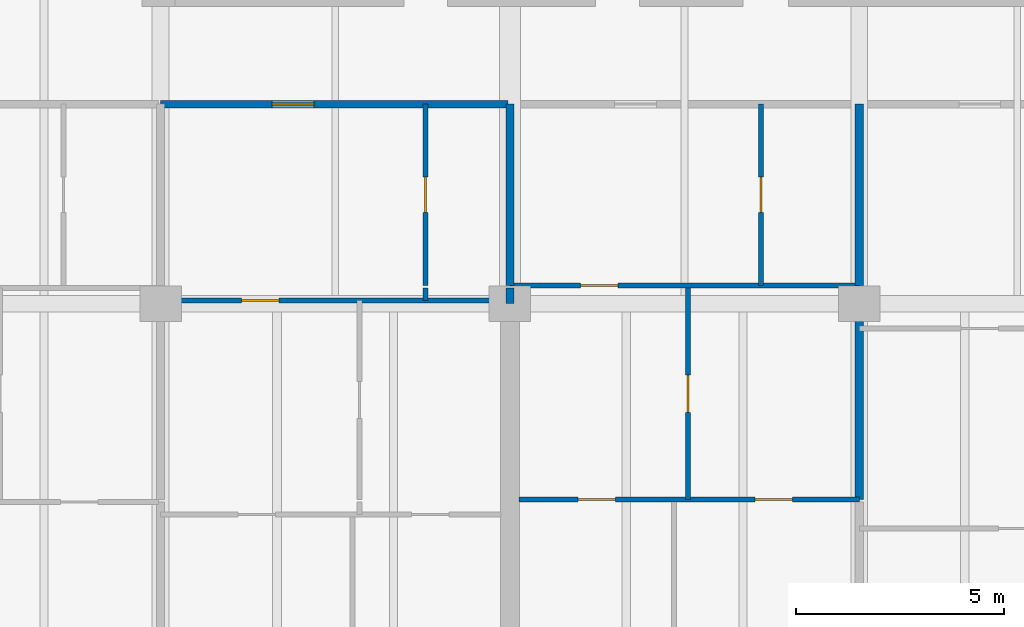
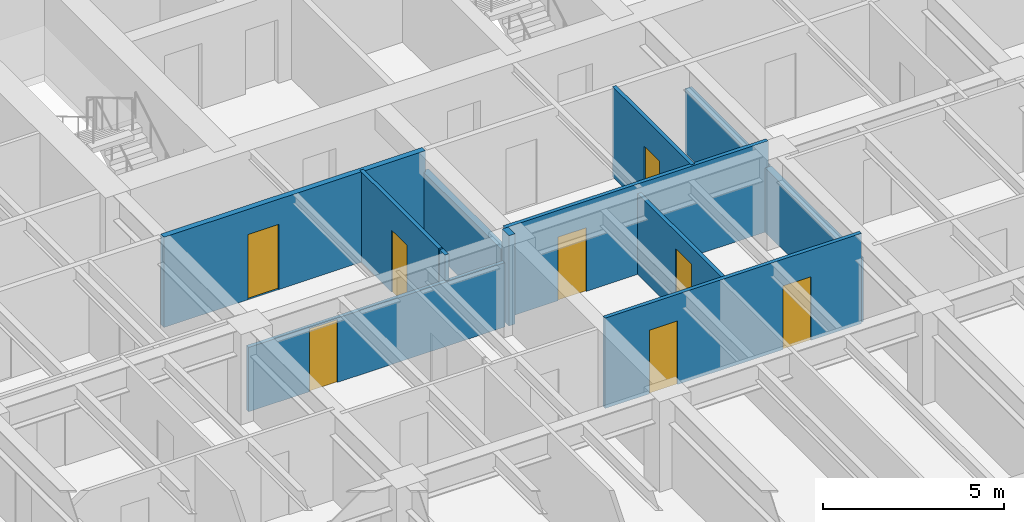
# One storey, part 7 of 16: 12 walls, 8 doors, 8 openings.
"""IFC4 building model written with IfcOpenShell, lengths in metres."""

from ifc_helpers import new_model, si_unit, direction, frame, frame_2d, origin, place, context, subcontext, project, spatial, rectangle, extrude, material, layer, layer_set, type_object, element, fill, save


model = new_model("IFC4")

# Units and contexts
model_context = context("Model", 3, precision=1e-05, world=origin(), true_north=direction((0.0, 1.0)))
body_context = subcontext(model_context, "Body", "Model", "MODEL_VIEW")
ifc_project = project(units=[si_unit("LENGTHUNIT", "METRE"), si_unit("AREAUNIT", "SQUARE_METRE"), si_unit("VOLUMEUNIT", "CUBIC_METRE"), si_unit("PLANEANGLEUNIT", "RADIAN"), si_unit("MASSUNIT", "GRAM", prefix="KILO")], contexts=[model_context])

# Site, building, storey
site_placement = place(None, origin())
site = spatial("IfcSite", under=ifc_project, at=site_placement, CompositionType="ELEMENT")
building_placement = place(site_placement, origin())
building = spatial("IfcBuilding", under=site, at=building_placement, Name="Caelmar Bay Residences", CompositionType="ELEMENT")
storey_placement = place(building_placement, frame((0.0, 0.0, 145.5)))
storey = spatial("IfcBuildingStorey", under=building, at=storey_placement, Name="L40", CompositionType="ELEMENT", Elevation=145.5)

# Wall, opening, door
ifc_material_1 = material(Name="Double-stud acoustic fire-rated gypsum partition 180 mm")
ifc_layer_1 = layer(ifc_material_1, 0.179931640625)
ifc_layer_set_1 = layer_set([ifc_layer_1], Name="Double-stud acoustic fire-rated gypsum partition 180 mm")
wall_type_1 = type_object("IfcWallType", Name="W-COR-200", PredefinedType="PARTITIONING", material=ifc_layer_set_1)
wall_1_placement = place(storey_placement, frame((18.300048828125, 34.199951171875, 0.0), z_axis=(0.0, 0.0, 1.0), x_axis=(1.0, 0.0, 0.0)))
wall_1 = element("IfcWall", 1, at=wall_1_placement, inside=storey, type_object=wall_type_1, Name="L40 Partition Wall H111", PredefinedType="PARTITIONING", context=body_context, shape_type="SweptSolid", body=[
    extrude(rectangle(XDim=8.349853515625, YDim=0.179931640625, at=frame_2d((4.1748046875, 0.0))), origin(), (0.0, 0.0, 1.0), 3.050048828125),
])
opening_1_placement = place(wall_1_placement, frame((2.68310546875, 0.0, 0.0)))
opening_1 = element("IfcOpeningElement", 2, at=opening_1_placement, cuts=wall_1, Name="Opening D-L40-132", PredefinedType="OPENING", context=body_context, shape_type="SweptSolid", body=[
    extrude(rectangle(XDim=1.0, YDim=2.199951171875, at=frame_2d((0.5, 1.10009765625))), frame((0.0, 0.099853515625, 0.0), z_axis=(0.0, -1.0, 0.0), x_axis=(1.0, 0.0, 0.0)), (0.0, 0.0, 1.0), 0.199951171875),
])
ifc_material_2 = material(Name="Fire-rated steel and walnut architectural door assembly", Category="steel")
ifc_layer_2 = layer(ifc_material_2, 0.050048828125)
ifc_layer_set_2 = layer_set([ifc_layer_2], Name="Fire-rated steel and walnut architectural door assembly")
door_type_1 = type_object("IfcDoorType", Name="D-UNIT-1000", OperationType="NOTDEFINED", PredefinedType="DOOR", material=ifc_layer_set_2)
door_1_placement = place(opening_1_placement, origin())
door_1 = element("IfcDoor", 3, at=door_1_placement, inside=storey, type_object=door_type_1, Name="L40 Residence 02 Apartment Hall Door", OperationType="SINGLE_SWING_RIGHT", OverallHeight=2.199951171875, OverallWidth=1.0, PredefinedType="DOOR", context=body_context, shape_type="SweptSolid", body=[
    extrude(rectangle(XDim=1.0, YDim=2.199951171875, at=frame_2d((0.5, 1.10009765625))), frame((0.0, 0.02490234375, 0.0), z_axis=(0.0, -1.0, 0.0), x_axis=(1.0, 0.0, 0.0)), (0.0, 0.0, 1.0), 0.050048828125),
])
fill(opening_1, door_1)

# Wall
ifc_material_3 = material(Name="Acoustic metal-stud gypsum partition 120 mm")
ifc_layer_3 = layer(ifc_material_3, 0.1201171875)
ifc_layer_set_3 = layer_set([ifc_layer_3], Name="Acoustic metal-stud gypsum partition 120 mm")
wall_type_2 = type_object("IfcWallType", Name="W-PRT-120", PredefinedType="PARTITIONING", material=ifc_layer_set_3)
wall_2_placement = place(storey_placement, frame((24.666015625, 29.47998046875, 0.0), z_axis=(0.0, 0.0, 1.0), x_axis=(0.0, 1.0, 0.0)))
element("IfcWall", 4, at=wall_2_placement, inside=storey, type_object=wall_type_2, Name="L40 Partition Wall V026", PredefinedType="PARTITIONING", context=body_context, shape_type="SweptSolid", body=[
    extrude(rectangle(XDim=0.300048828125, YDim=0.1201171875, at=frame_2d((0.14990234375, 0.0))), origin(), (0.0, 0.0, 1.0), 3.050048828125),
])

# Wall, opening, door
wall_3_placement = place(storey_placement, frame((24.666015625, 29.840087890625, 0.0), z_axis=(0.0, 0.0, 1.0), x_axis=(0.0, 1.0, 0.0)))
wall_3 = element("IfcWall", 5, at=wall_3_placement, inside=storey, type_object=wall_type_2, Name="L40 Partition Wall V027", PredefinedType="PARTITIONING", context=body_context, shape_type="SweptSolid", body=[
    extrude(rectangle(XDim=4.35986328125, YDim=0.1201171875, at=frame_2d((2.179931640625, 0.0))), origin(), (0.0, 0.0, 1.0), 3.050048828125),
])
opening_2_placement = place(wall_3_placement, frame((1.7548828125, 0.0, 0.0)))
opening_2 = element("IfcOpeningElement", 6, at=opening_2_placement, cuts=wall_3, Name="Opening D-L40-133", PredefinedType="OPENING", context=body_context, shape_type="SweptSolid", body=[
    extrude(rectangle(XDim=0.85009765625, YDim=2.10009765625, at=frame_2d((0.425048828125, 1.050048828125))), frame((0.0, 0.070068359375, 0.0), z_axis=(0.0, -1.0, 0.0), x_axis=(1.0, 0.0, 0.0)), (0.0, 0.0, 1.0), 0.14013671875),
])
ifc_material_4 = material(Name="Solid walnut timber interior door leaf and frame", Category="wood")
ifc_layer_4 = layer(ifc_material_4, 0.050048828125)
ifc_layer_set_4 = layer_set([ifc_layer_4], Name="Solid walnut timber interior door leaf and frame")
door_type_2 = type_object("IfcDoorType", Name="D-BATH-850", OperationType="NOTDEFINED", PredefinedType="DOOR", material=ifc_layer_set_4)
door_2_placement = place(opening_2_placement, origin())
door_2 = element("IfcDoor", 7, at=door_2_placement, inside=storey, type_object=door_type_2, Name="L40 Residence 02 Bathroom Door", OperationType="SINGLE_SWING_LEFT", OverallHeight=2.10009765625, OverallWidth=0.85009765625, PredefinedType="DOOR", context=body_context, shape_type="SweptSolid", body=[
    extrude(rectangle(XDim=0.85009765625, YDim=2.10009765625, at=frame_2d((0.425048828125, 1.050048828125))), frame((0.0, 0.02490234375, 0.0), z_axis=(0.0, -1.0, 0.0), x_axis=(1.0, 0.0, 0.0)), (0.0, 0.0, 1.0), 0.050048828125),
])
fill(opening_2, door_2)

wall_4_placement = place(storey_placement, frame((30.986083984375, 24.68994140625, 0.0), z_axis=(0.0, 0.0, 1.0), x_axis=(0.0, 1.0, 0.0)))
wall_4 = element("IfcWall", 8, at=wall_4_placement, inside=storey, type_object=wall_type_2, Name="L40 Partition Wall V038", PredefinedType="PARTITIONING", context=body_context, shape_type="SweptSolid", body=[
    extrude(rectangle(XDim=5.090087890625, YDim=0.1201171875, at=frame_2d((2.544921875, 0.0))), origin(), (0.0, 0.0, 1.0), 2.72509765625),
])
opening_3_placement = place(wall_4_placement, frame((2.094970703125, 0.0, 0.0)))
opening_3 = element("IfcOpeningElement", 9, at=opening_3_placement, cuts=wall_4, Name="Opening D-L40-142", PredefinedType="OPENING", context=body_context, shape_type="SweptSolid", body=[
    extrude(rectangle(XDim=0.89990234375, YDim=2.14990234375, at=frame_2d((0.449951171875, 1.074951171875))), frame((0.0, 0.070068359375, 0.0), z_axis=(0.0, -1.0, 0.0), x_axis=(1.0, 0.0, 0.0)), (0.0, 0.0, 1.0), 0.14013671875),
])
ifc_layer_5 = layer(ifc_material_4, 0.050048828125)
ifc_layer_set_5 = layer_set([ifc_layer_5], Name="Solid walnut timber interior door leaf and frame")
door_type_3 = type_object("IfcDoorType", Name="D-ROOM-900", OperationType="NOTDEFINED", PredefinedType="DOOR", material=ifc_layer_set_5)
door_3_placement = place(opening_3_placement, origin())
door_3 = element("IfcDoor", 10, at=door_3_placement, inside=storey, type_object=door_type_3, Name="L40 Residence 03 Curator Office Door", OperationType="SINGLE_SWING_RIGHT", OverallHeight=2.14990234375, OverallWidth=0.89990234375, PredefinedType="DOOR", context=body_context, shape_type="SweptSolid", body=[
    extrude(rectangle(XDim=0.89990234375, YDim=2.14990234375, at=frame_2d((0.449951171875, 1.074951171875))), frame((0.0, 0.02490234375, 0.0), z_axis=(0.0, -1.0, 0.0), x_axis=(1.0, 0.0, 0.0)), (0.0, 0.0, 1.0), 0.050048828125),
])
fill(opening_3, door_3)

wall_5_placement = place(storey_placement, frame((32.738037109375, 29.840087890625, 0.0), z_axis=(0.0, 0.0, 1.0), x_axis=(0.0, 1.0, 0.0)))
wall_5 = element("IfcWall", 11, at=wall_5_placement, inside=storey, type_object=wall_type_2, Name="L40 Partition Wall V040", PredefinedType="PARTITIONING", context=body_context, shape_type="SweptSolid", body=[
    extrude(rectangle(XDim=4.35986328125, YDim=0.1201171875, at=frame_2d((2.179931640625, 0.0))), origin(), (0.0, 0.0, 1.0), 3.050048828125),
])
opening_4_placement = place(wall_5_placement, frame((1.7548828125, 0.0, 0.0)))
opening_4 = element("IfcOpeningElement", 12, at=opening_4_placement, cuts=wall_5, Name="Opening D-L40-140", PredefinedType="OPENING", context=body_context, shape_type="SweptSolid", body=[
    extrude(rectangle(XDim=0.85009765625, YDim=2.10009765625, at=frame_2d((0.425048828125, 1.050048828125))), frame((0.0, 0.070068359375, 0.0), z_axis=(0.0, -1.0, 0.0), x_axis=(1.0, 0.0, 0.0)), (0.0, 0.0, 1.0), 0.14013671875),
])
door_4_placement = place(opening_4_placement, origin())
door_4 = element("IfcDoor", 13, at=door_4_placement, inside=storey, type_object=door_type_2, Name="L40 Residence 03 Bathroom Door", OperationType="SINGLE_SWING_RIGHT", OverallHeight=2.10009765625, OverallWidth=0.85009765625, PredefinedType="DOOR", context=body_context, shape_type="SweptSolid", body=[
    extrude(rectangle(XDim=0.85009765625, YDim=2.10009765625, at=frame_2d((0.425048828125, 1.050048828125))), frame((0.0, 0.02490234375, 0.0), z_axis=(0.0, -1.0, 0.0), x_axis=(1.0, 0.0, 0.0)), (0.0, 0.0, 1.0), 0.050048828125),
])
fill(opening_4, door_4)

# Wall, openings, doors
wall_6_placement = place(storey_placement, frame((26.919921875, 24.68994140625, 0.0), z_axis=(0.0, 0.0, 1.0), x_axis=(1.0, 0.0, 0.0)))
wall_6 = element("IfcWall", 14, at=wall_6_placement, inside=storey, type_object=wall_type_2, Name="L40 Partition Wall H101", PredefinedType="PARTITIONING", context=body_context, shape_type="SweptSolid", body=[
    extrude(rectangle(XDim=8.18017578125, YDim=0.1201171875, at=frame_2d((4.090087890625, 0.0))), origin(), (0.0, 0.0, 1.0), 3.050048828125),
])
opening_5_placement = place(wall_6_placement, frame((1.4140625, 0.0, 0.0)))
opening_5 = element("IfcOpeningElement", 15, at=opening_5_placement, cuts=wall_6, Name="Opening D-L40-143", PredefinedType="OPENING", context=body_context, shape_type="SweptSolid", body=[
    extrude(rectangle(XDim=0.89990234375, YDim=2.14990234375, at=frame_2d((0.449951171875, 1.074951171875))), frame((0.0, 0.070068359375, 0.0), z_axis=(0.0, -1.0, 0.0), x_axis=(1.0, 0.0, 0.0)), (0.0, 0.0, 1.0), 0.14013671875),
])
opening_6_placement = place(wall_6_placement, frame((5.673095703125, 0.0, 0.0)))
opening_6 = element("IfcOpeningElement", 16, at=opening_6_placement, cuts=wall_6, Name="Opening D-L40-144", PredefinedType="OPENING", context=body_context, shape_type="SweptSolid", body=[
    extrude(rectangle(XDim=0.89990234375, YDim=2.14990234375, at=frame_2d((0.449951171875, 1.074951171875))), frame((0.0, 0.070068359375, 0.0), z_axis=(0.0, -1.0, 0.0), x_axis=(1.0, 0.0, 0.0)), (0.0, 0.0, 1.0), 0.14013671875),
])
door_5_placement = place(opening_5_placement, origin())
door_5 = element("IfcDoor", 17, at=door_5_placement, inside=storey, type_object=door_type_3, Name="L40 Residence 03 Living Room Door", OperationType="SINGLE_SWING_LEFT", OverallHeight=2.14990234375, OverallWidth=0.89990234375, PredefinedType="DOOR", context=body_context, shape_type="SweptSolid", body=[
    extrude(rectangle(XDim=0.89990234375, YDim=2.14990234375, at=frame_2d((0.449951171875, 1.074951171875))), frame((0.0, 0.02490234375, 0.0), z_axis=(0.0, -1.0, 0.0), x_axis=(1.0, 0.0, 0.0)), (0.0, 0.0, 1.0), 0.050048828125),
])
fill(opening_5, door_5)
door_6_placement = place(opening_6_placement, origin())
door_6 = element("IfcDoor", 18, at=door_6_placement, inside=storey, type_object=door_type_3, Name="L40 Residence 03 Penthouse Sitting Room Door", OperationType="SINGLE_SWING_RIGHT", OverallHeight=2.14990234375, OverallWidth=0.89990234375, PredefinedType="DOOR", context=body_context, shape_type="SweptSolid", body=[
    extrude(rectangle(XDim=0.89990234375, YDim=2.14990234375, at=frame_2d((0.449951171875, 1.074951171875))), frame((0.0, 0.02490234375, 0.0), z_axis=(0.0, -1.0, 0.0), x_axis=(1.0, 0.0, 0.0)), (0.0, 0.0, 1.0), 0.050048828125),
])
fill(opening_6, door_6)

# Wall, opening, door
wall_7_placement = place(storey_placement, frame((18.300048828125, 29.47998046875, 0.0), z_axis=(0.0, 0.0, 1.0), x_axis=(1.0, 0.0, 0.0)))
wall_7 = element("IfcWall", 19, at=wall_7_placement, inside=storey, type_object=wall_type_2, Name="L40 Partition Wall H106", PredefinedType="PARTITIONING", context=body_context, shape_type="SweptSolid", body=[
    extrude(rectangle(XDim=8.179931640625, YDim=0.1201171875, at=frame_2d((4.08984375, 0.0))), origin(), (0.0, 0.0, 1.0), 2.174072265625),
])
opening_7_placement = place(wall_7_placement, frame((1.943115234375, 0.0, 0.0)))
opening_7 = element("IfcOpeningElement", 20, at=opening_7_placement, cuts=wall_7, Name="Opening D-L40-134", PredefinedType="OPENING", context=body_context, shape_type="SweptSolid", body=[
    extrude(rectangle(XDim=0.89990234375, YDim=2.1240234375, at=frame_2d((0.449951171875, 1.06201171875))), frame((0.0, 0.070068359375, 0.0), z_axis=(0.0, -1.0, 0.0), x_axis=(1.0, 0.0, 0.0)), (0.0, 0.0, 1.0), 0.14013671875),
])
door_7_placement = place(opening_7_placement, origin())
door_7 = element("IfcDoor", 21, at=door_7_placement, inside=storey, type_object=door_type_3, Name="L40 Residence 02 Kitchen Door", OperationType="SINGLE_SWING_RIGHT", OverallHeight=2.1240234375, OverallWidth=0.89990234375, PredefinedType="DOOR", context=body_context, shape_type="SweptSolid", body=[
    extrude(rectangle(XDim=0.89990234375, YDim=2.1240234375, at=frame_2d((0.449951171875, 1.06201171875))), frame((0.0, 0.02490234375, 0.0), z_axis=(0.0, -1.0, 0.0), x_axis=(1.0, 0.0, 0.0)), (0.0, 0.0, 1.0), 0.050048828125),
])
fill(opening_7, door_7)

wall_8_placement = place(storey_placement, frame((26.699951171875, 29.840087890625, 0.0), z_axis=(0.0, 0.0, 1.0), x_axis=(1.0, 0.0, 0.0)))
wall_8 = element("IfcWall", 22, at=wall_8_placement, inside=storey, type_object=wall_type_2, Name="L40 Partition Wall H108", PredefinedType="PARTITIONING", context=body_context, shape_type="SweptSolid", body=[
    extrude(rectangle(XDim=8.400146484375, YDim=0.1201171875, at=frame_2d((4.2001953125, 0.0))), origin(), (0.0, 0.0, 1.0), 3.050048828125),
])
opening_8_placement = place(wall_8_placement, frame((1.693115234375, 0.0, 0.0)))
opening_8 = element("IfcOpeningElement", 23, at=opening_8_placement, cuts=wall_8, Name="Opening D-L40-141", PredefinedType="OPENING", context=body_context, shape_type="SweptSolid", body=[
    extrude(rectangle(XDim=0.89990234375, YDim=2.14990234375, at=frame_2d((0.449951171875, 1.074951171875))), frame((0.0, 0.070068359375, 0.0), z_axis=(0.0, -1.0, 0.0), x_axis=(1.0, 0.0, 0.0)), (0.0, 0.0, 1.0), 0.14013671875),
])
door_8_placement = place(opening_8_placement, origin())
door_8 = element("IfcDoor", 24, at=door_8_placement, inside=storey, type_object=door_type_3, Name="L40 Residence 03 Kitchen Door", OperationType="SINGLE_SWING_LEFT", OverallHeight=2.14990234375, OverallWidth=0.89990234375, PredefinedType="DOOR", context=body_context, shape_type="SweptSolid", body=[
    extrude(rectangle(XDim=0.89990234375, YDim=2.14990234375, at=frame_2d((0.449951171875, 1.074951171875))), frame((0.0, 0.02490234375, 0.0), z_axis=(0.0, -1.0, 0.0), x_axis=(1.0, 0.0, 0.0)), (0.0, 0.0, 1.0), 0.050048828125),
])
fill(opening_8, door_8)

# Walls
ifc_material_5 = material(Name="Acoustic twin-stud fire-rated inter-tenancy partition 200 mm")
ifc_layer_6 = layer(ifc_material_5, 0.199951171875)
ifc_layer_set_6 = layer_set([ifc_layer_6], Name="Acoustic twin-stud fire-rated inter-tenancy partition 200 mm")
wall_type_3 = type_object("IfcWallType", Name="W-PTY-200", PredefinedType="PARTITIONING", material=ifc_layer_set_6)
wall_9_placement = place(storey_placement, frame((26.699951171875, 29.405029296875, 0.0), z_axis=(0.0, 0.0, 1.0), x_axis=(0.0, 1.0, 0.0)))
element("IfcWall", 25, at=wall_9_placement, inside=storey, type_object=wall_type_3, Name="L40 Partition Wall V032", PredefinedType="PARTITIONING", context=body_context, shape_type="SweptSolid", body=[
    extrude(rectangle(XDim=0.375, YDim=0.199951171875, at=frame_2d((0.1875, 0.0))), origin(), (0.0, 0.0, 1.0), 3.050048828125),
])
wall_10_placement = place(storey_placement, frame((26.699951171875, 29.840087890625, 0.0), z_axis=(0.0, 0.0, 1.0), x_axis=(0.0, 1.0, 0.0)))
element("IfcWall", 26, at=wall_10_placement, inside=storey, type_object=wall_type_3, Name="L40 Partition Wall V033", PredefinedType="PARTITIONING", context=body_context, shape_type="SweptSolid", body=[
    extrude(rectangle(XDim=4.35986328125, YDim=0.199951171875, at=frame_2d((2.179931640625, 0.0))), origin(), (0.0, 0.0, 1.0), 2.3349609375),
])
wall_11_placement = place(storey_placement, frame((35.10009765625, 24.68994140625, 0.0), z_axis=(0.0, 0.0, 1.0), x_axis=(0.0, 1.0, 0.0)))
element("IfcWall", 27, at=wall_11_placement, inside=storey, type_object=wall_type_3, Name="L40 Partition Wall V043", PredefinedType="PARTITIONING", context=body_context, shape_type="SweptSolid", body=[
    extrude(rectangle(XDim=5.090087890625, YDim=0.199951171875, at=frame_2d((2.544921875, 0.0))), origin(), (0.0, 0.0, 1.0), 2.174072265625),
])
wall_12_placement = place(storey_placement, frame((35.10009765625, 29.840087890625, 0.0), z_axis=(0.0, 0.0, 1.0), x_axis=(0.0, 1.0, 0.0)))
element("IfcWall", 28, at=wall_12_placement, inside=storey, type_object=wall_type_3, Name="L40 Partition Wall V044", PredefinedType="PARTITIONING", context=body_context, shape_type="SweptSolid", body=[
    extrude(rectangle(XDim=4.35986328125, YDim=0.199951171875, at=frame_2d((2.179931640625, 0.0))), origin(), (0.0, 0.0, 1.0), 2.174072265625),
])

save(model, "model.ifc")
